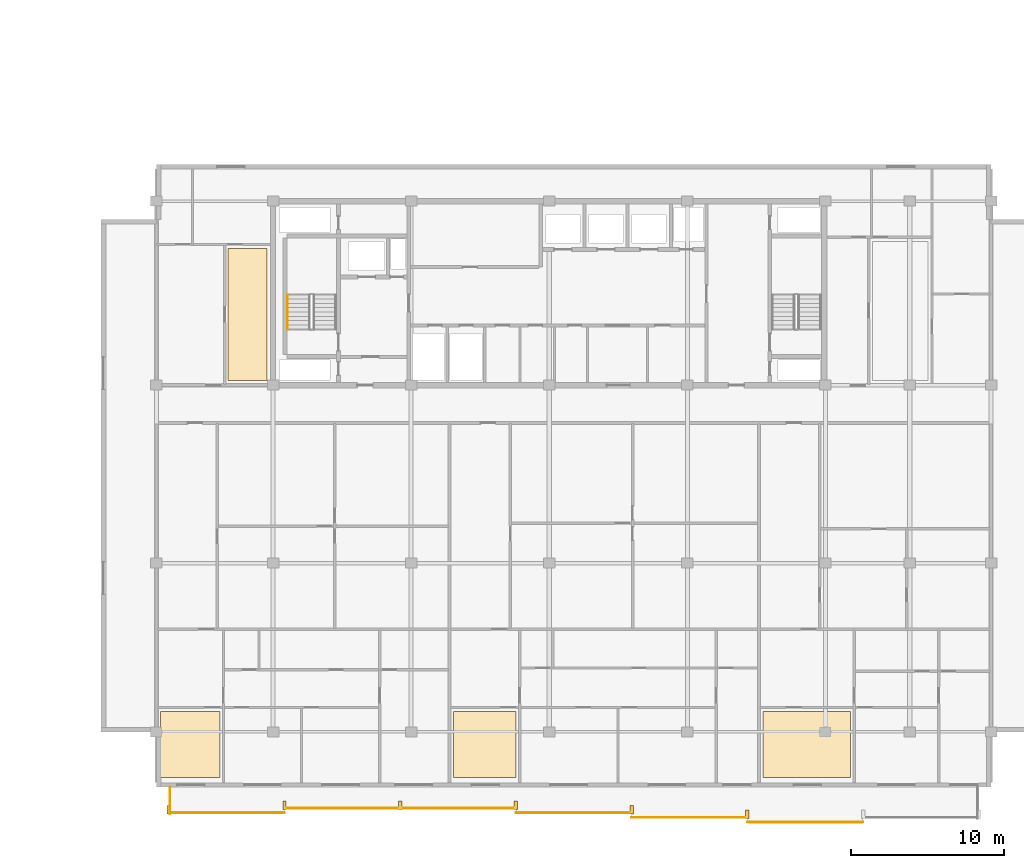
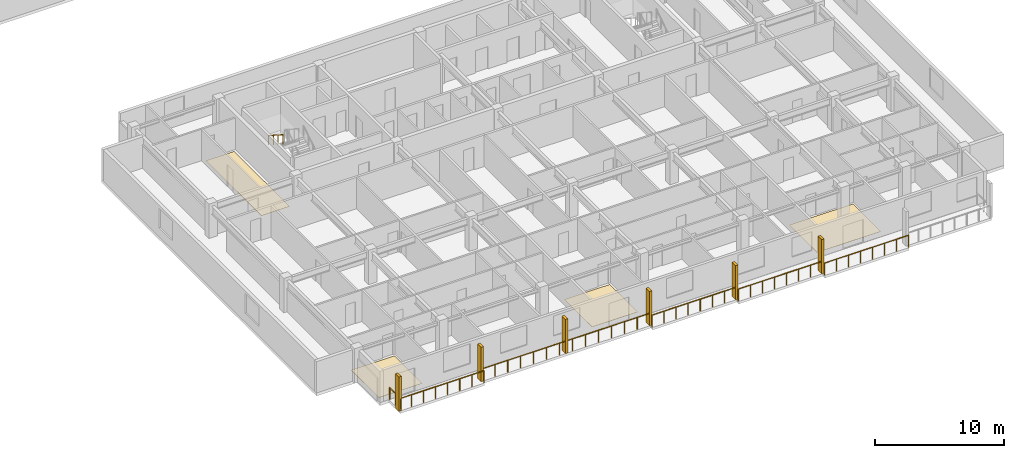
# One storey, part 19 of 24: 7 railings, 6 shading devices, 4 coverings.
"""IFC4 building model written with IfcOpenShell, lengths in metres."""

from ifc_helpers import new_model, si_unit, direction, frame, origin, origin_2d, place, context, subcontext, project, spatial, polyline, rectangle, circle, outline, extrude, material, layer, layer_set, type_object, element, save


model = new_model("IFC4")

# Units and contexts
model_context = context("Model", 3, precision=1e-05, world=origin(), true_north=direction((0.0, 1.0)))
body_context = subcontext(model_context, "Body", "Model", "MODEL_VIEW")
ifc_project = project(units=[si_unit("LENGTHUNIT", "METRE"), si_unit("AREAUNIT", "SQUARE_METRE"), si_unit("VOLUMEUNIT", "CUBIC_METRE"), si_unit("PLANEANGLEUNIT", "RADIAN"), si_unit("MASSUNIT", "GRAM", prefix="KILO")], contexts=[model_context])

# Site, building, storey
site_placement = place(None, origin())
site = spatial("IfcSite", under=ifc_project, at=site_placement, CompositionType="ELEMENT")
building_placement = place(site_placement, origin())
building = spatial("IfcBuilding", under=site, at=building_placement, Name="Korimba Cascade Residences", CompositionType="ELEMENT")
storey_placement = place(building_placement, frame((0.0, 0.0, 168.60009765625)))
storey = spatial("IfcBuildingStorey", under=building, at=storey_placement, Name="L48", CompositionType="ELEMENT", Elevation=168.60009765625)

# Coverings
ifc_material_1 = material(Name="Engineered Spotted-Gum Timber Flooring", Category="wood")
ifc_layer = layer(ifc_material_1, 0.02001953125)
ifc_layer_set = layer_set([ifc_layer], Name="Engineered Spotted-Gum Timber Flooring")
covering_type = type_object("IfcCoveringType", Name="COV-FLR-TIM", PredefinedType="FLOORING", material=ifc_layer_set)
covering_1_placement = place(storey_placement, origin())
element("IfcCovering", 1, at=covering_1_placement, inside=storey, type_object=covering_type, Name="L48 Spotted-Gum Timber Flooring L48-T2-FW-L", PredefinedType="FLOORING", context=body_context, shape_type="SweptSolid", body=[
    extrude(outline(polyline([(79.175048828125, 18.699951171875), (81.699951171875, 18.699951171875), (81.699951171875, 27.300048828125), (79.175048828125, 27.300048828125), (79.175048828125, 18.699951171875)])), origin(), (0.0, 0.0, 1.0), 0.02001953125),
])
covering_2_placement = place(storey_placement, origin())
element("IfcCovering", 2, at=covering_2_placement, inside=storey, type_object=covering_type, Name="L48 Spotted-Gum Timber Flooring L48-T2-U01-L", PredefinedType="FLOORING", context=body_context, shape_type="SweptSolid", body=[
    extrude(outline(polyline([(74.77001953125, -7.179931640625), (78.639892578125, -7.179931640625), (78.639892578125, -2.8701171875), (74.77001953125, -2.8701171875), (74.77001953125, -7.179931640625)])), origin(), (0.0, 0.0, 1.0), 0.02001953125),
])
covering_3_placement = place(storey_placement, origin())
element("IfcCovering", 3, at=covering_3_placement, inside=storey, type_object=covering_type, Name="L48 Spotted-Gum Timber Flooring L48-T2-U02-L", PredefinedType="FLOORING", context=body_context, shape_type="SweptSolid", body=[
    extrude(outline(polyline([(93.869140625, -7.179931640625), (97.94921875, -7.179931640625), (97.94921875, -2.8701171875), (93.869140625, -2.8701171875), (93.869140625, -7.179931640625)])), origin(), (0.0, 0.0, 1.0), 0.02001953125),
])
covering_4_placement = place(storey_placement, origin())
element("IfcCovering", 4, at=covering_4_placement, inside=storey, type_object=covering_type, Name="L48 Spotted-Gum Timber Flooring L48-T2-U03-L", PredefinedType="FLOORING", context=body_context, shape_type="SweptSolid", body=[
    extrude(outline(polyline([(114.030517578125, -7.179931640625), (119.75, -7.179931640625), (119.75, -2.8701171875), (114.030517578125, -2.8701171875), (114.030517578125, -7.179931640625)])), origin(), (0.0, 0.0, 1.0), 0.02001953125),
])

# Railings
ifc_material_2 = material(Name="Laminated Glass and Bronze Balustrade", Category="glass")
railing_type_1 = type_object("IfcRailingType", Name="RLG-LOG-1150", PredefinedType="BALUSTRADE", material=ifc_material_2)
railing_1_placement = place(storey_placement, frame((75.300048828125, -9.469970703125, 0.0)))
element("IfcRailing", 5, at=railing_1_placement, inside=storey, type_object=railing_type_1, Name="L48 Perimeter Guardrail RLG-L48-T2-LOG-01", PredefinedType="BALUSTRADE", context=body_context, shape_type="SweptSolid", body=[
    extrude(circle(Radius=0.02392578125, at=origin_2d()), frame((0.0, 0.0, 1.1259765625), z_axis=(1.0, 0.0, 0.0), x_axis=(0.0, 1.0, 0.0)), (0.0, 0.0, 1.0), 7.54296875),
    extrude(circle(Radius=0.02099609375, at=origin_2d()), origin(), (0.0, 0.0, 1.0), 1.101806640625),
    extrude(circle(Radius=0.02099609375, at=origin_2d()), frame((1.07763671875, 0.0, 0.0)), (0.0, 0.0, 1.0), 1.101806640625),
    extrude(circle(Radius=0.02099609375, at=origin_2d()), frame((2.155029296875, 0.0, 0.0)), (0.0, 0.0, 1.0), 1.101806640625),
    extrude(circle(Radius=0.02099609375, at=origin_2d()), frame((3.232666015625, 0.0, 0.0)), (0.0, 0.0, 1.0), 1.101806640625),
    extrude(circle(Radius=0.02099609375, at=origin_2d()), frame((4.310302734375, 0.0, 0.0)), (0.0, 0.0, 1.0), 1.101806640625),
    extrude(circle(Radius=0.02099609375, at=origin_2d()), frame((5.387939453125, 0.0, 0.0)), (0.0, 0.0, 1.0), 1.101806640625),
    extrude(circle(Radius=0.02099609375, at=origin_2d()), frame((6.46533203125, 0.0, 0.0)), (0.0, 0.0, 1.0), 1.101806640625),
    extrude(circle(Radius=0.02099609375, at=origin_2d()), frame((7.54296875, 0.0, 0.0)), (0.0, 0.0, 1.0), 1.101806640625),
])
railing_2_placement = place(storey_placement, frame((82.843017578125, -9.169921875, 0.0)))
element("IfcRailing", 6, at=railing_2_placement, inside=storey, type_object=railing_type_1, Name="L48 Perimeter Guardrail RLG-L48-T2-LOG-02", PredefinedType="BALUSTRADE", context=body_context, shape_type="SweptSolid", body=[
    extrude(circle(Radius=0.02392578125, at=origin_2d()), frame((0.0, 0.0, 1.1259765625), z_axis=(1.0, 0.0, 0.0), x_axis=(0.0, 1.0, 0.0)), (0.0, 0.0, 1.0), 15.085693359375),
    extrude(circle(Radius=0.02099609375, at=origin_2d()), origin(), (0.0, 0.0, 1.0), 1.101806640625),
    extrude(circle(Radius=0.02099609375, at=origin_2d()), frame((1.160400390625, 0.0, 0.0)), (0.0, 0.0, 1.0), 1.101806640625),
    extrude(circle(Radius=0.02099609375, at=origin_2d()), frame((2.32080078125, 0.0, 0.0)), (0.0, 0.0, 1.0), 1.101806640625),
    extrude(circle(Radius=0.02099609375, at=origin_2d()), frame((3.481201171875, 0.0, 0.0)), (0.0, 0.0, 1.0), 1.101806640625),
    extrude(circle(Radius=0.02099609375, at=origin_2d()), frame((4.641845703125, 0.0, 0.0)), (0.0, 0.0, 1.0), 1.101806640625),
    extrude(circle(Radius=0.02099609375, at=origin_2d()), frame((5.80224609375, 0.0, 0.0)), (0.0, 0.0, 1.0), 1.101806640625),
    extrude(circle(Radius=0.02099609375, at=origin_2d()), frame((6.962646484375, 0.0, 0.0)), (0.0, 0.0, 1.0), 1.101806640625),
    extrude(circle(Radius=0.02099609375, at=origin_2d()), frame((8.123046875, 0.0, 0.0)), (0.0, 0.0, 1.0), 1.101806640625),
    extrude(circle(Radius=0.02099609375, at=origin_2d()), frame((9.283447265625, 0.0, 0.0)), (0.0, 0.0, 1.0), 1.101806640625),
    extrude(circle(Radius=0.02099609375, at=origin_2d()), frame((10.44384765625, 0.0, 0.0)), (0.0, 0.0, 1.0), 1.101806640625),
    extrude(circle(Radius=0.02099609375, at=origin_2d()), frame((11.6044921875, 0.0, 0.0)), (0.0, 0.0, 1.0), 1.101806640625),
    extrude(circle(Radius=0.02099609375, at=origin_2d()), frame((12.764892578125, 0.0, 0.0)), (0.0, 0.0, 1.0), 1.101806640625),
    extrude(circle(Radius=0.02099609375, at=origin_2d()), frame((13.92529296875, 0.0, 0.0)), (0.0, 0.0, 1.0), 1.101806640625),
    extrude(circle(Radius=0.02099609375, at=origin_2d()), frame((15.085693359375, 0.0, 0.0)), (0.0, 0.0, 1.0), 1.101806640625),
])
railing_3_placement = place(storey_placement, frame((97.9287109375, -9.469970703125, 0.0)))
element("IfcRailing", 7, at=railing_3_placement, inside=storey, type_object=railing_type_1, Name="L48 Perimeter Guardrail RLG-L48-T2-LOG-03", PredefinedType="BALUSTRADE", context=body_context, shape_type="SweptSolid", body=[
    extrude(circle(Radius=0.02392578125, at=origin_2d()), frame((0.0, 0.0, 1.1259765625), z_axis=(1.0, 0.0, 0.0), x_axis=(0.0, 1.0, 0.0)), (0.0, 0.0, 1.0), 7.542724609375),
    extrude(circle(Radius=0.02099609375, at=origin_2d()), origin(), (0.0, 0.0, 1.0), 1.101806640625),
    extrude(circle(Radius=0.02099609375, at=origin_2d()), frame((1.07763671875, 0.0, 0.0)), (0.0, 0.0, 1.0), 1.101806640625),
    extrude(circle(Radius=0.02099609375, at=origin_2d()), frame((2.155029296875, 0.0, 0.0)), (0.0, 0.0, 1.0), 1.101806640625),
    extrude(circle(Radius=0.02099609375, at=origin_2d()), frame((3.232666015625, 0.0, 0.0)), (0.0, 0.0, 1.0), 1.101806640625),
    extrude(circle(Radius=0.02099609375, at=origin_2d()), frame((4.31005859375, 0.0, 0.0)), (0.0, 0.0, 1.0), 1.101806640625),
    extrude(circle(Radius=0.02099609375, at=origin_2d()), frame((5.3876953125, 0.0, 0.0)), (0.0, 0.0, 1.0), 1.101806640625),
    extrude(circle(Radius=0.02099609375, at=origin_2d()), frame((6.465087890625, 0.0, 0.0)), (0.0, 0.0, 1.0), 1.101806640625),
    extrude(circle(Radius=0.02099609375, at=origin_2d()), frame((7.542724609375, 0.0, 0.0)), (0.0, 0.0, 1.0), 1.101806640625),
])
railing_4_placement = place(storey_placement, frame((105.471435546875, -9.77001953125, 0.0)))
element("IfcRailing", 8, at=railing_4_placement, inside=storey, type_object=railing_type_1, Name="L48 Perimeter Guardrail RLG-L48-T2-LOG-04", PredefinedType="BALUSTRADE", context=body_context, shape_type="SweptSolid", body=[
    extrude(circle(Radius=0.02392578125, at=origin_2d()), frame((0.0, 0.0, 1.1259765625), z_axis=(1.0, 0.0, 0.0), x_axis=(0.0, 1.0, 0.0)), (0.0, 0.0, 1.0), 7.54296875),
    extrude(circle(Radius=0.02099609375, at=origin_2d()), origin(), (0.0, 0.0, 1.0), 1.101806640625),
    extrude(circle(Radius=0.02099609375, at=origin_2d()), frame((1.07763671875, 0.0, 0.0)), (0.0, 0.0, 1.0), 1.101806640625),
    extrude(circle(Radius=0.02099609375, at=origin_2d()), frame((2.155029296875, 0.0, 0.0)), (0.0, 0.0, 1.0), 1.101806640625),
    extrude(circle(Radius=0.02099609375, at=origin_2d()), frame((3.232666015625, 0.0, 0.0)), (0.0, 0.0, 1.0), 1.101806640625),
    extrude(circle(Radius=0.02099609375, at=origin_2d()), frame((4.310302734375, 0.0, 0.0)), (0.0, 0.0, 1.0), 1.101806640625),
    extrude(circle(Radius=0.02099609375, at=origin_2d()), frame((5.387939453125, 0.0, 0.0)), (0.0, 0.0, 1.0), 1.101806640625),
    extrude(circle(Radius=0.02099609375, at=origin_2d()), frame((6.46533203125, 0.0, 0.0)), (0.0, 0.0, 1.0), 1.101806640625),
    extrude(circle(Radius=0.02099609375, at=origin_2d()), frame((7.54296875, 0.0, 0.0)), (0.0, 0.0, 1.0), 1.101806640625),
])
railing_5_placement = place(storey_placement, frame((113.014404296875, -10.070068359375, 0.0)))
element("IfcRailing", 9, at=railing_5_placement, inside=storey, type_object=railing_type_1, Name="L48 Perimeter Guardrail RLG-L48-T2-LOG-05", PredefinedType="BALUSTRADE", context=body_context, shape_type="SweptSolid", body=[
    extrude(circle(Radius=0.02392578125, at=origin_2d()), frame((0.0, 0.0, 1.1259765625), z_axis=(1.0, 0.0, 0.0), x_axis=(0.0, 1.0, 0.0)), (0.0, 0.0, 1.0), 7.542724609375),
    extrude(circle(Radius=0.02099609375, at=origin_2d()), origin(), (0.0, 0.0, 1.0), 1.101806640625),
    extrude(circle(Radius=0.02099609375, at=origin_2d()), frame((1.07763671875, 0.0, 0.0)), (0.0, 0.0, 1.0), 1.101806640625),
    extrude(circle(Radius=0.02099609375, at=origin_2d()), frame((2.155029296875, 0.0, 0.0)), (0.0, 0.0, 1.0), 1.101806640625),
    extrude(circle(Radius=0.02099609375, at=origin_2d()), frame((3.232666015625, 0.0, 0.0)), (0.0, 0.0, 1.0), 1.101806640625),
    extrude(circle(Radius=0.02099609375, at=origin_2d()), frame((4.31005859375, 0.0, 0.0)), (0.0, 0.0, 1.0), 1.101806640625),
    extrude(circle(Radius=0.02099609375, at=origin_2d()), frame((5.3876953125, 0.0, 0.0)), (0.0, 0.0, 1.0), 1.101806640625),
    extrude(circle(Radius=0.02099609375, at=origin_2d()), frame((6.465087890625, 0.0, 0.0)), (0.0, 0.0, 1.0), 1.101806640625),
    extrude(circle(Radius=0.02099609375, at=origin_2d()), frame((7.542724609375, 0.0, 0.0)), (0.0, 0.0, 1.0), 1.101806640625),
])
railing_6_placement = place(storey_placement, frame((75.3798828125, -7.800048828125, 0.0)))
element("IfcRailing", 10, at=railing_6_placement, inside=storey, type_object=railing_type_1, Name="L48 Perimeter Guardrail RLG-L48-T2-LOG-08", PredefinedType="BALUSTRADE", context=body_context, shape_type="SweptSolid", body=[
    extrude(circle(Radius=0.02392578125, at=origin_2d()), frame((0.0, 0.0, 1.1259765625), z_axis=(0.0, -1.0, 0.0), x_axis=(1.0, 0.0, 0.0)), (0.0, 0.0, 1.0), 1.75),
    extrude(circle(Radius=0.02099609375, at=origin_2d()), origin(), (0.0, 0.0, 1.0), 1.101806640625),
    extrude(circle(Radius=0.02099609375, at=origin_2d()), frame((0.0, -0.875, 0.0)), (0.0, 0.0, 1.0), 1.101806640625),
    extrude(circle(Radius=0.02099609375, at=origin_2d()), frame((0.0, -1.75, 0.0)), (0.0, 0.0, 1.0), 1.101806640625),
])
ifc_material_3 = material(Name="Brushed Stainless Steel Handrail", Category="steel")
railing_type_2 = type_object("IfcRailingType", Name="RLG-ST-HR900", PredefinedType="HANDRAIL", material=ifc_material_3)
railing_7_placement = place(storey_placement, frame((83.050048828125, 24.2900390625, 1.98974609375)))
element("IfcRailing", 11, at=railing_7_placement, inside=storey, type_object=railing_type_2, Name="L48 ST-E1 stair handrail 2", PredefinedType="HANDRAIL", context=body_context, shape_type="SweptSolid", body=[
    extrude(circle(Radius=0.02392578125, at=origin_2d()), frame((0.0, 0.0, 0.8759765625), z_axis=(0.0, -0.840394893359, 0.541974559565), x_axis=(1.0, 0.0, 0.0)), (0.0, 0.0, 1.0), 2.665283203125),
    extrude(circle(Radius=0.02099609375, at=origin_2d()), origin(), (0.0, 0.0, 1.0), 0.851806640625),
    extrude(circle(Radius=0.02099609375, at=origin_2d()), frame((0.0, -0.74658203125, 0.4814453125)), (0.0, 0.0, 1.0), 0.851806640625),
    extrude(circle(Radius=0.02099609375, at=origin_2d()), frame((0.0, -1.493408203125, 0.963134765625)), (0.0, 0.0, 1.0), 0.851806640625),
    extrude(circle(Radius=0.02099609375, at=origin_2d()), frame((0.0, -2.239990234375, 1.444580078125)), (0.0, 0.0, 1.0), 0.851806640625),
])

# Shading devices
ifc_material_4 = material(Name="Honed Sandstone Precast Fin", Category="masonry")
shading_device_type = type_object("IfcShadingDeviceType", Name="SHD-FIN-550", PredefinedType="USERDEFINED", material=ifc_material_4)
for number, where, z_axis, x_axis, name in (
    (12, (75.300048828125, -9.27490234375, 0.0), (0.0, 0.0, 1.0), (1.0, 0.0, 0.0), "L48 T2 Warm-Stone Loggia Fin 1"),
    (13, (82.843017578125, -8.97509765625, 0.0), (0.0, 0.0, 1.0), (1.0, 0.0, 0.0), "L48 T2 Warm-Stone Loggia Fin 2"),
    (14, (90.3857421875, -8.97509765625, 0.0), (0.0, 0.0, 1.0), (1.0, 0.0, 0.0), "L48 T2 Warm-Stone Loggia Fin 3"),
    (15, (97.9287109375, -8.97509765625, 0.0), (0.0, 0.0, 1.0), (1.0, 0.0, 0.0), "L48 T2 Warm-Stone Loggia Fin 4"),
    (16, (105.471435546875, -9.27490234375, 0.0), (0.0, 0.0, 1.0), (1.0, 0.0, 0.0), "L48 T2 Warm-Stone Loggia Fin 5"),
    (17, (113.014404296875, -9.574951171875, 0.0), (0.0, 0.0, 1.0), (1.0, 0.0, 0.0), "L48 T2 Warm-Stone Loggia Fin 6"),
):
    element("IfcShadingDevice", number, at=place(storey_placement, frame(where, z_axis=z_axis, x_axis=x_axis)), inside=storey, type_object=shading_device_type, Name=name, ObjectType="FIN", PredefinedType="USERDEFINED", context=body_context, shape_type="SweptSolid", body=[
        extrude(rectangle(XDim=0.219970703125, YDim=0.550048828125, at=origin_2d()), origin(), (0.0, 0.0, 1.0), 3.25),
    ])

save(model, "model.ifc")
